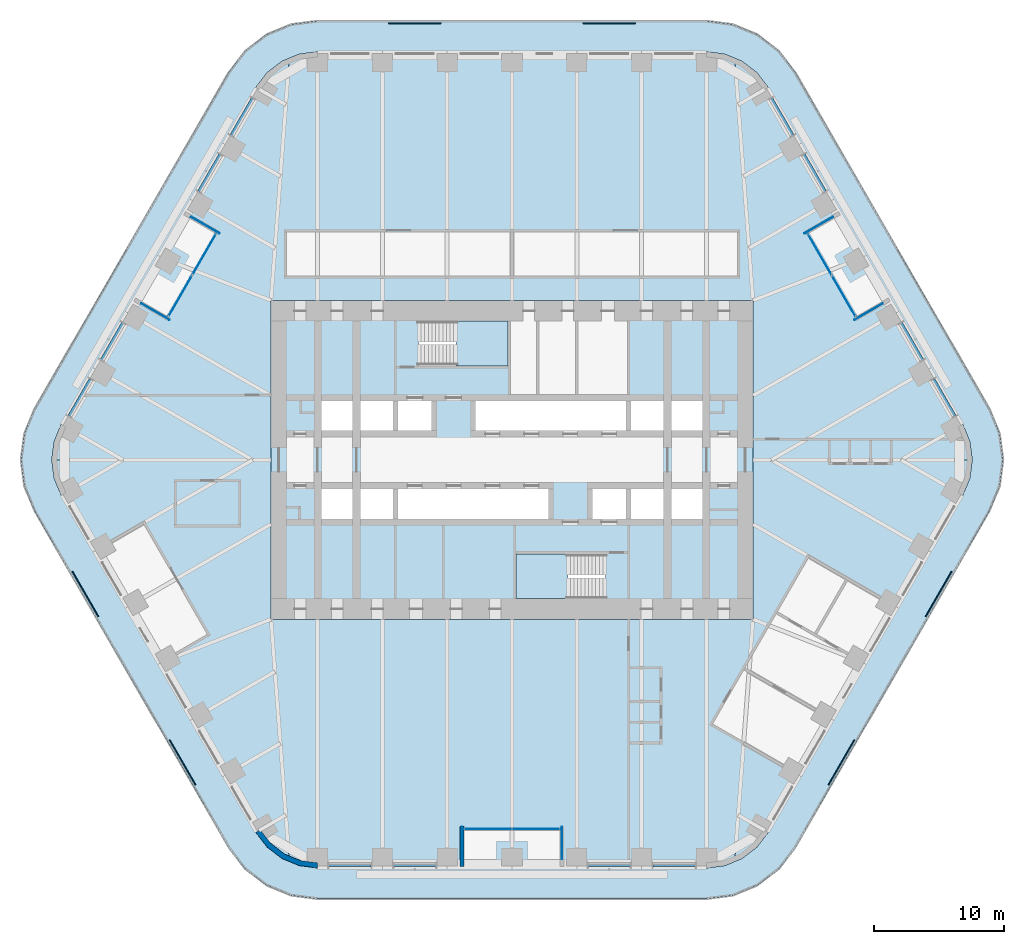
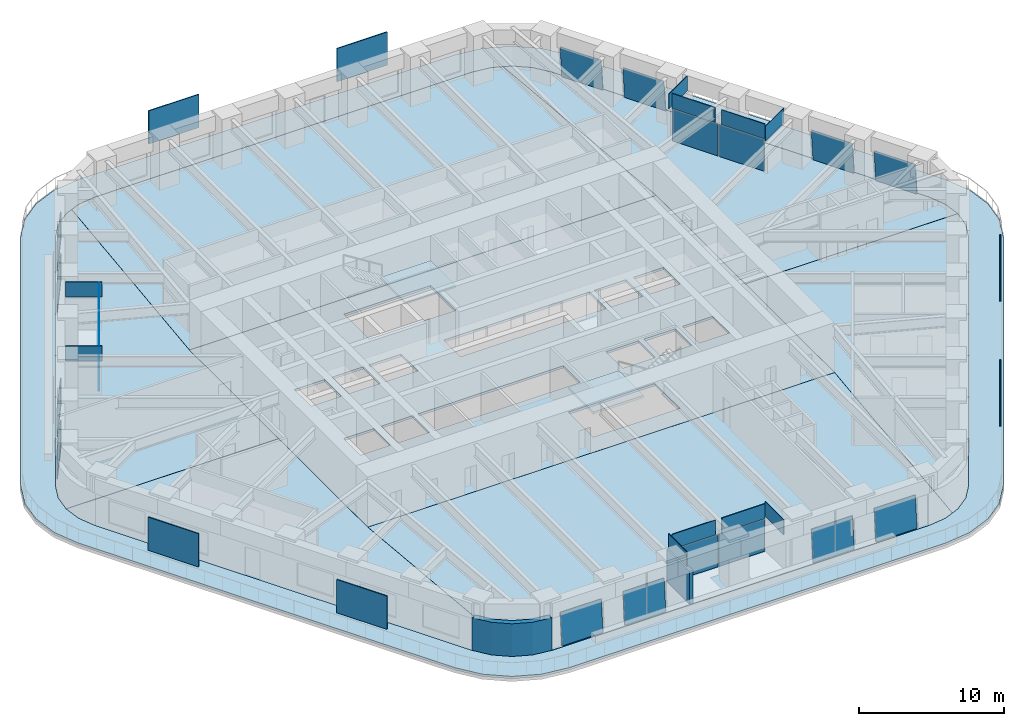
# One storey, part 16 of 24: 36 plates, 10 slabs, 2 walls, 17 elements without a shape of their own.
"""IFC4 building model written with IfcOpenShell, lengths in metres."""

from ifc_helpers import new_model, si_unit, direction, frame, frame_2d, origin, origin_2d, place, context, subcontext, project, spatial, polyline, rectangle, outline, extrude, material, layer, layer_set, type_object, element, aggregate, save


model = new_model("IFC4")

# Units and contexts
model_context = context("Model", 3, precision=1e-05, world=origin(), true_north=direction((0.0, 1.0)))
body_context = subcontext(model_context, "Body", "Model", "MODEL_VIEW")
ifc_project = project(units=[si_unit("LENGTHUNIT", "METRE"), si_unit("AREAUNIT", "SQUARE_METRE"), si_unit("VOLUMEUNIT", "CUBIC_METRE"), si_unit("PLANEANGLEUNIT", "RADIAN"), si_unit("MASSUNIT", "GRAM", prefix="KILO")], contexts=[model_context])

# Site, building, storey
site_placement = place(None, origin())
site = spatial("IfcSite", under=ifc_project, at=site_placement, CompositionType="ELEMENT")
building_placement = place(site_placement, origin())
building = spatial("IfcBuilding", under=site, at=building_placement, Name="Tarfa Lantern Tower", CompositionType="ELEMENT")
storey_placement = place(building_placement, frame((0.0, 0.0, 165.699951171875)))
storey = spatial("IfcBuildingStorey", under=building, at=storey_placement, Name="L37", CompositionType="ELEMENT", Elevation=165.699951171875)

# Slab
ifc_material_1 = material(Name="Concrete C40/50", Category="concrete")
ifc_layer_1 = layer(ifc_material_1, 0.199951171875)
ifc_layer_set_1 = layer_set([ifc_layer_1], Name="BS2 BALCONY SLAB 200")
slab_type_1 = type_object("IfcSlabType", Name="BS2 BALCONY SLAB 200", PredefinedType="FLOOR", material=ifc_layer_set_1)
slab_1_placement = place(storey_placement, frame((0.0, 0.0, -0.199951171875)))
element("IfcSlab", 1, at=slab_1_placement, inside=storey, type_object=slab_type_1, Name="Balcony L37", PredefinedType="FLOOR", context=body_context, shape_type="SweptSolid", body=[
    extrude(outline(polyline([(36.86376953125, 3.949951171875), (21.852783203125, 29.949951171875), (20.59716796875, 31.586181640625), (18.961181640625, 32.841552734375), (17.0556640625, 33.630859375), (15.010986328125, 33.89990234375), (-15.010986328125, 33.89990234375), (-17.0556640625, 33.630859375), (-18.961181640625, 32.841552734375), (-20.59716796875, 31.586181640625), (-21.852783203125, 29.949951171875), (-36.86376953125, 3.949951171875), (-37.653076171875, 2.044677734375), (-37.922119140625, 0.0), (-37.653076171875, -2.044677734375), (-36.86376953125, -3.949951171875), (-21.852783203125, -29.949951171875), (-20.59716796875, -31.586181640625), (-18.961181640625, -32.841552734375), (-17.0556640625, -33.630859375), (-15.010986328125, -33.89990234375), (15.010986328125, -33.89990234375), (17.0556640625, -33.630859375), (18.961181640625, -32.841552734375), (20.59716796875, -31.586181640625), (21.852783203125, -29.949951171875), (36.86376953125, -3.949951171875), (37.653076171875, -2.044677734375), (37.922119140625, 0.0), (37.653076171875, 2.044677734375), (36.86376953125, 3.949951171875)]), holes=[polyline([(34.785400390625, 2.75), (19.774169921875, 28.75), (18.900146484375, 29.88916015625), (17.760986328125, 30.76318359375), (16.4345703125, 31.3125), (15.010986328125, 31.5), (-15.010986328125, 31.5), (-16.4345703125, 31.3125), (-17.760986328125, 30.76318359375), (-18.900146484375, 29.88916015625), (-19.774169921875, 28.75), (-34.785400390625, 2.75), (-35.334716796875, 1.423583984375), (-35.522216796875, 0.0), (-35.334716796875, -1.423583984375), (-34.785400390625, -2.75), (-19.774169921875, -28.75), (-18.900146484375, -29.88916015625), (-17.760986328125, -30.76318359375), (-16.4345703125, -31.3125), (-15.010986328125, -31.5), (15.010986328125, -31.5), (16.4345703125, -31.3125), (17.760986328125, -30.76318359375), (18.900146484375, -29.88916015625), (19.774169921875, -28.75), (34.785400390625, -2.75), (35.334716796875, -1.423583984375), (35.522216796875, 0.0), (35.334716796875, 1.423583984375), (34.785400390625, 2.75)])]), origin(), (0.0, 0.0, 1.0), 0.199951171875),
])

# Curtain wall, plate
ifc_material_2 = material(Name="Aluminium framed curtain wall", Category="aluminium")
curtain_wall_type_1 = type_object("IfcCurtainWallType", Name="CW2 CANTED GLAZING MID ZONE 2750", PredefinedType="USERDEFINED", material=ifc_material_2)
curtain_wall_1_placement = place(storey_placement, origin())
curtain_wall_1 = element("IfcCurtainWall", 2, at=curtain_wall_1_placement, inside=storey, type_object=curtain_wall_type_1, Name="CW2 NE L37", ObjectType="CURTAIN WALL", PredefinedType="USERDEFINED")
ifc_material_3 = material(Name="Laminated double glazing", Category="glass")
ifc_layer_2 = layer(ifc_material_3, 0.028076171875)
ifc_layer_set_2 = layer_set([ifc_layer_2], Name="CWP1 DOUBLE GLAZED PANEL")
plate_type_1 = type_object("IfcPlateType", Name="CWP1 DOUBLE GLAZED PANEL", PredefinedType="CURTAIN_PANEL", material=ifc_layer_set_2)
plate_1_placement = place(storey_placement, frame((34.266357421875, 3.44921875, 0.0), z_axis=(0.862441677575, 0.497990996223, 0.09055009919), x_axis=(-0.500045231271, 0.865999287923, 0.0)))
plate_1 = element("IfcPlate", 3, at=plate_1_placement, type_object=plate_type_1, Name="CW2 panel 1.1", PredefinedType="CURTAIN_PANEL", context=body_context, shape_type="SweptSolid", body=[
    extrude(outline(polyline([(0.0, 0.0), (3.2736296403891254, -2.7755575615628914e-17), (3.273639290369484, 2.696134580088432), (9.64998035858606e-06, 2.696134580088432), (0.0, 0.0)])), origin(), (0.0, 0.0, -1.0), 0.028076171875),
])
aggregate(curtain_wall_1, [plate_1])

curtain_wall_2_placement = place(storey_placement, origin())
curtain_wall_2 = element("IfcCurtainWall", 4, at=curtain_wall_2_placement, inside=storey, type_object=curtain_wall_type_1, Name="CW2 NE L37", ObjectType="CURTAIN WALL", PredefinedType="USERDEFINED")
plate_2_placement = place(storey_placement, frame((31.764404296875, 7.782470703125, 0.0), z_axis=(0.862479387985, 0.497932752669, 0.090511209914), x_axis=(-0.499985201727, 0.866033947398, 2.910741e-06)))
plate_2 = element("IfcPlate", 5, at=plate_2_placement, type_object=plate_type_1, Name="CW2 panel 1.1", PredefinedType="CURTAIN_PANEL", context=body_context, shape_type="SweptSolid", body=[
    extrude(outline(polyline([(0.0, 0.0), (3.2738410665798376, 0.0), (3.273719542684435, 2.696115441250439), (5.428042382078573e-07, 2.696134578050012), (0.0, 0.0)])), origin(), (0.0, 0.0, -1.0), 0.028076171875),
])
aggregate(curtain_wall_2, [plate_2])

curtain_wall_3_placement = place(storey_placement, origin())
curtain_wall_3 = element("IfcCurtainWall", 6, at=curtain_wall_3_placement, inside=storey, type_object=curtain_wall_type_1, Name="CW2 NEB L37", ObjectType="CURTAIN WALL", PredefinedType="USERDEFINED")
plate_3_placement = place(storey_placement, frame((24.2587890625, 20.782470703125, 0.0), z_axis=(0.862492405459, 0.49790313323, 0.090550099086), x_axis=(-0.499957005835, 0.866050225054, 0.0)))
plate_3 = element("IfcPlate", 7, at=plate_3_placement, type_object=plate_type_1, Name="CW2 panel 1.1", PredefinedType="CURTAIN_PANEL", context=body_context, shape_type="SweptSolid", body=[
    extrude(outline(polyline([(0.0, 0.0), (3.273719001629088, 0.0), (3.2737037805661293, 2.6961345800627363), (-1.5221062958495346e-05, 2.6961345800627363), (0.0, 0.0)])), origin(), (0.0, 0.0, -1.0), 0.028076171875),
])
aggregate(curtain_wall_3, [plate_3])

curtain_wall_4_placement = place(storey_placement, origin())
curtain_wall_4 = element("IfcCurtainWall", 8, at=curtain_wall_4_placement, inside=storey, type_object=curtain_wall_type_1, Name="CW2 NEB L37", ObjectType="CURTAIN WALL", PredefinedType="USERDEFINED")
plate_4_placement = place(storey_placement, frame((21.757080078125, 25.11572265625, 0.0), z_axis=(0.862460247027, 0.49795883547, 0.09055009926), x_axis=(-0.500012937857, 0.86601793398, 0.0)))
plate_4 = element("IfcPlate", 9, at=plate_4_placement, type_object=plate_type_1, Name="CW2 panel 1.1", PredefinedType="CURTAIN_PANEL", context=body_context, shape_type="SweptSolid", body=[
    extrude(outline(polyline([(0.0, 0.0), (3.2738410682727324, -2.7755575615628914e-17), (3.27384161446276, 2.6961345801056464), (5.461900275667914e-07, 2.6961345801056464), (0.0, 0.0)])), origin(), (0.0, 0.0, -1.0), 0.028076171875),
])
aggregate(curtain_wall_4, [plate_4])

# Curtain wall, plates
curtain_wall_type_2 = type_object("IfcCurtainWallType", Name="CW10 LOGGIA GLAZING 2750", PredefinedType="USERDEFINED", material=ifc_material_2)
curtain_wall_5_placement = place(storey_placement, origin())
curtain_wall_5 = element("IfcCurtainWall", 10, at=curtain_wall_5_placement, inside=storey, type_object=curtain_wall_type_2, Name="CW10 NEL L37", ObjectType="CURTAIN WALL", PredefinedType="USERDEFINED")
plate_5_placement = place(storey_placement, frame((25.599609375, 12.660400390625, 0.0), z_axis=(0.0, 0.0, 1.0), x_axis=(-0.5, 0.866025403784, 0.0)))
plate_5 = element("IfcPlate", 11, at=plate_5_placement, type_object=plate_type_1, Name="CW10 panel 1.1", PredefinedType="CURTAIN_PANEL", context=body_context, shape_type="SweptSolid", body=[
    extrude(rectangle(XDim=3.606201171875, YDim=0.028076171875, at=origin_2d()), origin(), (0.0, 0.0, 1.0), 2.68505859375),
])
plate_6_placement = place(storey_placement, frame((23.763916015625, 15.839599609375, 0.0), z_axis=(0.0, 0.0, 1.0), x_axis=(-0.5, 0.866025403784, 0.0)))
plate_6 = element("IfcPlate", 12, at=plate_6_placement, type_object=plate_type_1, Name="CW10 panel 2.1", PredefinedType="CURTAIN_PANEL", context=body_context, shape_type="SweptSolid", body=[
    extrude(rectangle(XDim=3.606201171875, YDim=0.028076171875, at=origin_2d()), origin(), (0.0, 0.0, 1.0), 2.68505859375),
])
aggregate(curtain_wall_5, [plate_5, plate_6])

# Curtain wall, plate
curtain_wall_6_placement = place(storey_placement, origin())
curtain_wall_6 = element("IfcCurtainWall", 13, at=curtain_wall_6_placement, inside=storey, type_object=curtain_wall_type_1, Name="CW2 NW L37", ObjectType="CURTAIN WALL", PredefinedType="USERDEFINED")
plate_7_placement = place(storey_placement, frame((-20.1201171875, 27.950927734375, 0.0), z_axis=(-0.862460247027, 0.49795883547, 0.09055009926), x_axis=(-0.500012937857, -0.86601793398, 0.0)))
plate_7 = element("IfcPlate", 14, at=plate_7_placement, type_object=plate_type_1, Name="CW2 panel 1.1", PredefinedType="CURTAIN_PANEL", context=body_context, shape_type="SweptSolid", body=[
    extrude(outline(polyline([(0.0, 0.0), (3.2738410682727324, 2.7755575615628914e-17), (3.273840522082705, 2.6961345801056464), (-5.461900275667914e-07, 2.6961345801056464), (0.0, 0.0)])), origin(), (0.0, 0.0, -1.0), 0.028076171875),
])
aggregate(curtain_wall_6, [plate_7])

curtain_wall_7_placement = place(storey_placement, origin())
curtain_wall_7 = element("IfcCurtainWall", 15, at=curtain_wall_7_placement, inside=storey, type_object=curtain_wall_type_1, Name="CW2 NW L37", ObjectType="CURTAIN WALL", PredefinedType="USERDEFINED")
plate_8_placement = place(storey_placement, frame((-22.6220703125, 23.61767578125, 0.0), z_axis=(-0.862492405459, 0.49790313323, 0.090550099086), x_axis=(-0.499957005835, -0.866050225054, 0.0)))
plate_8 = element("IfcPlate", 16, at=plate_8_placement, type_object=plate_type_1, Name="CW2 panel 1.1", PredefinedType="CURTAIN_PANEL", context=body_context, shape_type="SweptSolid", body=[
    extrude(outline(polyline([(0.0, 0.0), (3.273719001629088, 0.0), (3.2737342226920463, 2.6961345800627363), (1.5221062958495346e-05, 2.6961345800627363), (0.0, 0.0)])), origin(), (0.0, 0.0, -1.0), 0.028076171875),
])
aggregate(curtain_wall_7, [plate_8])

curtain_wall_8_placement = place(storey_placement, origin())
curtain_wall_8 = element("IfcCurtainWall", 17, at=curtain_wall_8_placement, inside=storey, type_object=curtain_wall_type_1, Name="CW2 NWB L37", ObjectType="CURTAIN WALL", PredefinedType="USERDEFINED")
plate_9_placement = place(storey_placement, frame((-30.12744140625, 10.61767578125, 0.0), z_axis=(-0.862479387985, 0.497932752669, 0.090511209914), x_axis=(-0.499985201727, -0.866033947398, -2.910741e-06)))
plate_9 = element("IfcPlate", 18, at=plate_9_placement, type_object=plate_type_1, Name="CW2 panel 1.1", PredefinedType="CURTAIN_PANEL", context=body_context, shape_type="SweptSolid", body=[
    extrude(outline(polyline([(0.0, 0.0), (3.2738410665798376, 0.0), (3.2738405237755996, 2.696134578050012), (0.00012152389540222507, 2.6961154412504387), (0.0, 0.0)])), origin(), (0.0, 0.0, -1.0), 0.028076171875),
])
aggregate(curtain_wall_8, [plate_9])

curtain_wall_9_placement = place(storey_placement, origin())
curtain_wall_9 = element("IfcCurtainWall", 19, at=curtain_wall_9_placement, inside=storey, type_object=curtain_wall_type_1, Name="CW2 NWB L37", ObjectType="CURTAIN WALL", PredefinedType="USERDEFINED")
plate_10_placement = place(storey_placement, frame((-32.62939453125, 6.2841796875, 0.0), z_axis=(-0.862441677575, 0.497990996223, 0.09055009919), x_axis=(-0.500045231271, -0.865999287923, 0.0)))
plate_10 = element("IfcPlate", 20, at=plate_10_placement, type_object=plate_type_1, Name="CW2 panel 1.1", PredefinedType="CURTAIN_PANEL", context=body_context, shape_type="SweptSolid", body=[
    extrude(outline(polyline([(0.0, 0.0), (3.2736296403891254, 2.7755575615628914e-17), (3.273619990408767, 2.696134580088432), (-9.64998035858606e-06, 2.696134580088432), (0.0, 0.0)])), origin(), (0.0, 0.0, -1.0), 0.028076171875),
])
aggregate(curtain_wall_9, [plate_10])

# Curtain wall, plates
curtain_wall_10_placement = place(storey_placement, origin())
curtain_wall_10 = element("IfcCurtainWall", 21, at=curtain_wall_10_placement, inside=storey, type_object=curtain_wall_type_2, Name="CW10 NWL L37", ObjectType="CURTAIN WALL", PredefinedType="USERDEFINED")
plate_11_placement = place(storey_placement, frame((-23.763916015625, 15.839599609375, 0.0), z_axis=(0.0, 0.0, 1.0), x_axis=(-0.5, -0.866025403784, 0.0)))
plate_11 = element("IfcPlate", 22, at=plate_11_placement, type_object=plate_type_1, Name="CW10 panel 1.1", PredefinedType="CURTAIN_PANEL", context=body_context, shape_type="SweptSolid", body=[
    extrude(rectangle(XDim=3.606201171875, YDim=0.028076171875, at=origin_2d()), origin(), (0.0, 0.0, 1.0), 2.68505859375),
])
plate_12_placement = place(storey_placement, frame((-25.599609375, 12.660400390625, 0.0), z_axis=(0.0, 0.0, 1.0), x_axis=(-0.5, -0.866025403784, 0.0)))
plate_12 = element("IfcPlate", 23, at=plate_12_placement, type_object=plate_type_1, Name="CW10 panel 2.1", PredefinedType="CURTAIN_PANEL", context=body_context, shape_type="SweptSolid", body=[
    extrude(rectangle(XDim=3.606201171875, YDim=0.028076171875, at=origin_2d()), origin(), (0.0, 0.0, 1.0), 2.68505859375),
])
aggregate(curtain_wall_10, [plate_11, plate_12])

# Curtain wall, plate
curtain_wall_11_placement = place(storey_placement, origin())
curtain_wall_11 = element("IfcCurtainWall", 24, at=curtain_wall_11_placement, inside=storey, type_object=curtain_wall_type_1, Name="CW2 S L37", ObjectType="CURTAIN WALL", PredefinedType="USERDEFINED")
plate_13_placement = place(storey_placement, frame((-14.14599609375, -31.39990234375, 0.0), z_axis=(0.0, -0.995899883883, 0.090462264412), x_axis=(1.0, 0.0, 0.0)))
plate_13 = element("IfcPlate", 25, at=plate_13_placement, type_object=plate_type_1, Name="CW2 panel 1.1", PredefinedType="CURTAIN_PANEL", context=body_context, shape_type="SweptSolid", body=[
    extrude(outline(polyline([(0.0, 0.0), (3.273681640625, 0.0), (3.273681640625, 2.6961129699923947), (0.0, 2.6961129699923947), (0.0, 0.0)])), origin(), (0.0, 0.0, -1.0), 0.028076171875),
])
aggregate(curtain_wall_11, [plate_13])

curtain_wall_12_placement = place(storey_placement, origin())
curtain_wall_12 = element("IfcCurtainWall", 26, at=curtain_wall_12_placement, inside=storey, type_object=curtain_wall_type_1, Name="CW2 S L37", ObjectType="CURTAIN WALL", PredefinedType="USERDEFINED")
plate_14_placement = place(storey_placement, frame((-9.142333984375, -31.39990234375, 0.0), z_axis=(0.0, -0.995899883883, 0.090462264412), x_axis=(1.0, 0.0, 0.0)))
plate_14 = element("IfcPlate", 27, at=plate_14_placement, type_object=plate_type_1, Name="CW2 panel 1.1", PredefinedType="CURTAIN_PANEL", context=body_context, shape_type="SweptSolid", body=[
    extrude(outline(polyline([(0.0, 0.0), (3.273681640625, 0.0), (3.273681640625, 2.6961129699923947), (0.0, 2.6961129699923947), (0.0, 0.0)])), origin(), (0.0, 0.0, -1.0), 0.028076171875),
])
aggregate(curtain_wall_12, [plate_14])

curtain_wall_13_placement = place(storey_placement, origin())
curtain_wall_13 = element("IfcCurtainWall", 28, at=curtain_wall_13_placement, inside=storey, type_object=curtain_wall_type_1, Name="CW2 SB L37", ObjectType="CURTAIN WALL", PredefinedType="USERDEFINED")
plate_15_placement = place(storey_placement, frame((5.86865234375, -31.39990234375, 0.0), z_axis=(0.0, -0.995899883883, 0.090462264412), x_axis=(1.0, 0.0, 0.0)))
plate_15 = element("IfcPlate", 29, at=plate_15_placement, type_object=plate_type_1, Name="CW2 panel 1.1", PredefinedType="CURTAIN_PANEL", context=body_context, shape_type="SweptSolid", body=[
    extrude(outline(polyline([(0.0, 0.0), (3.273681640625, 0.0), (3.273681640625, 2.6961129699923947), (0.0, 2.6961129699923947), (0.0, 0.0)])), origin(), (0.0, 0.0, -1.0), 0.028076171875),
])
aggregate(curtain_wall_13, [plate_15])

curtain_wall_14_placement = place(storey_placement, origin())
curtain_wall_14 = element("IfcCurtainWall", 30, at=curtain_wall_14_placement, inside=storey, type_object=curtain_wall_type_1, Name="CW2 SB L37", ObjectType="CURTAIN WALL", PredefinedType="USERDEFINED")
plate_16_placement = place(storey_placement, frame((10.872314453125, -31.39990234375, 0.0), z_axis=(0.0, -0.995899883883, 0.090462264412), x_axis=(1.0, 0.0, 0.0)))
plate_16 = element("IfcPlate", 31, at=plate_16_placement, type_object=plate_type_1, Name="CW2 panel 1.1", PredefinedType="CURTAIN_PANEL", context=body_context, shape_type="SweptSolid", body=[
    extrude(outline(polyline([(0.0, 0.0), (3.273681640625, 0.0), (3.273681640625, 2.6961129699923947), (0.0, 2.6961129699923947), (0.0, 0.0)])), origin(), (0.0, 0.0, -1.0), 0.028076171875),
])
aggregate(curtain_wall_14, [plate_16])

# Curtain wall, plates
curtain_wall_15_placement = place(storey_placement, origin())
curtain_wall_15 = element("IfcCurtainWall", 32, at=curtain_wall_15_placement, inside=storey, type_object=curtain_wall_type_2, Name="CW10 SL L37", ObjectType="CURTAIN WALL", PredefinedType="USERDEFINED")
plate_17_placement = place(storey_placement, frame((-1.835693359375, -28.5, 0.0), z_axis=(0.0, 0.0, 1.0), x_axis=(1.0, 0.0, 0.0)))
plate_17 = element("IfcPlate", 33, at=plate_17_placement, type_object=plate_type_1, Name="CW10 panel 1.1", PredefinedType="CURTAIN_PANEL", context=body_context, shape_type="SweptSolid", body=[
    extrude(rectangle(XDim=3.606201171875, YDim=0.028076171875, at=origin_2d()), origin(), (0.0, 0.0, 1.0), 2.68505859375),
])
plate_18_placement = place(storey_placement, frame((1.835693359375, -28.5, 0.0), z_axis=(0.0, 0.0, 1.0), x_axis=(1.0, 0.0, 0.0)))
plate_18 = element("IfcPlate", 34, at=plate_18_placement, type_object=plate_type_1, Name="CW10 panel 2.1", PredefinedType="CURTAIN_PANEL", context=body_context, shape_type="SweptSolid", body=[
    extrude(rectangle(XDim=3.606201171875, YDim=0.028076171875, at=origin_2d()), origin(), (0.0, 0.0, 1.0), 2.68505859375),
])
aggregate(curtain_wall_15, [plate_17, plate_18])

# Slabs
ifc_layer_3 = layer(ifc_material_1, 0.199951171875)
ifc_layer_set_3 = layer_set([ifc_layer_3], Name="FS1 FLOOR SLAB 200")
slab_type_2 = type_object("IfcSlabType", Name="FS1 FLOOR SLAB 200", PredefinedType="FLOOR", material=ifc_layer_set_3)
slab_2_placement = place(storey_placement, frame((0.0, 0.0, -0.199951171875)))
element("IfcSlab", 35, at=slab_2_placement, inside=storey, type_object=slab_type_2, Name="Floor slab L37", PredefinedType="FLOOR", context=body_context, shape_type="SweptSolid", body=[
    extrude(outline(polyline([(-18.60009765625, -12.300048828125), (18.60009765625, -12.300048828125), (18.60009765625, 12.300048828125), (-18.60009765625, 12.300048828125), (-18.60009765625, -12.300048828125)]), holes=[polyline([(-14.699951171875, 2.25), (-12.300048828125, 2.25), (-12.300048828125, 4.550048828125), (-14.699951171875, 4.550048828125), (-14.699951171875, 2.25)]), polyline([(-11.699951171875, 2.25), (-9.199951171875, 2.25), (-9.199951171875, 4.550048828125), (-11.699951171875, 4.550048828125), (-11.699951171875, 2.25)]), polyline([(-8.800048828125, 2.25), (-6.199951171875, 2.25), (-6.199951171875, 4.550048828125), (-8.800048828125, 4.550048828125), (-8.800048828125, 2.25)]), polyline([(-2.800048828125, 2.25), (8.800048828125, 2.25), (8.800048828125, 4.550048828125), (-2.800048828125, 4.550048828125), (-2.800048828125, 2.25)]), polyline([(9.199951171875, 2.25), (11.699951171875, 2.25), (11.699951171875, 4.550048828125), (9.199951171875, 4.550048828125), (9.199951171875, 2.25)]), polyline([(12.300048828125, 2.25), (14.699951171875, 2.25), (14.699951171875, 4.550048828125), (12.300048828125, 4.550048828125), (12.300048828125, 2.25)]), polyline([(14.699951171875, -2.25), (12.300048828125, -2.25), (12.300048828125, -4.550048828125), (14.699951171875, -4.550048828125), (14.699951171875, -2.25)]), polyline([(11.699951171875, -2.25), (9.199951171875, -2.25), (9.199951171875, -4.550048828125), (11.699951171875, -4.550048828125), (11.699951171875, -2.25)]), polyline([(8.800048828125, -2.25), (6.199951171875, -2.25), (6.199951171875, -4.550048828125), (8.800048828125, -4.550048828125), (8.800048828125, -2.25)]), polyline([(2.800048828125, -2.25), (-8.800048828125, -2.25), (-8.800048828125, -4.550048828125), (2.800048828125, -4.550048828125), (2.800048828125, -2.25)]), polyline([(-9.199951171875, -2.25), (-11.699951171875, -2.25), (-11.699951171875, -4.550048828125), (-9.199951171875, -4.550048828125), (-9.199951171875, -2.25)]), polyline([(-12.300048828125, -2.25), (-14.699951171875, -2.25), (-14.699951171875, -4.550048828125), (-12.300048828125, -4.550048828125), (-12.300048828125, -2.25)]), polyline([(-7.199951171875, 7.25), (-0.300048828125, 7.25), (-0.300048828125, 10.699951171875), (-7.199951171875, 10.699951171875), (-7.199951171875, 7.25)]), polyline([(7.199951171875, -7.25), (0.300048828125, -7.25), (0.300048828125, -10.699951171875), (7.199951171875, -10.699951171875), (7.199951171875, -7.25)])]), origin(), (0.0, 0.0, 1.0), 0.199951171875),
])
slab_3_placement = place(storey_placement, frame((0.0, 0.0, -0.199951171875)))
element("IfcSlab", 36, at=slab_3_placement, inside=storey, type_object=slab_type_2, Name="Floor slab L37 NE bay", PredefinedType="FLOOR", context=body_context, shape_type="SweptSolid", body=[
    extrude(outline(polyline([(34.783447265625, 2.7490234375), (19.7724609375, 28.748779296875), (18.898681640625, 29.8876953125), (17.760009765625, 30.761474609375), (17.19189453125, 30.996826171875), (18.60205078125, 12.300048828125), (18.60205078125, 0.001953125), (35.52001953125, 0.001953125), (35.332763671875, 1.423095703125), (34.783447265625, 2.7490234375)])), origin(), (0.0, 0.0, 1.0), 0.199951171875),
])
slab_4_placement = place(storey_placement, frame((0.0, 0.0, -0.199951171875)))
element("IfcSlab", 37, at=slab_4_placement, inside=storey, type_object=slab_type_2, Name="Floor slab L37 N bay", PredefinedType="FLOOR", context=body_context, shape_type="SweptSolid", body=[
    extrude(outline(polyline([(-18.597900390625, 12.302001953125), (18.597900390625, 12.302001953125), (17.187744140625, 30.99853515625), (16.43408203125, 31.310546875), (15.010986328125, 31.498046875), (-15.010986328125, 31.498046875), (-16.43408203125, 31.310546875), (-17.187744140625, 30.99853515625), (-18.597900390625, 12.302001953125)])), origin(), (0.0, 0.0, 1.0), 0.199951171875),
])
slab_5_placement = place(storey_placement, frame((0.0, 0.0, -0.199951171875)))
element("IfcSlab", 38, at=slab_5_placement, inside=storey, type_object=slab_type_2, Name="Floor slab L37 NW bay", PredefinedType="FLOOR", context=body_context, shape_type="SweptSolid", body=[
    extrude(outline(polyline([(-18.60205078125, 0.001953125), (-18.60205078125, 12.300048828125), (-17.19189453125, 30.996826171875), (-17.760009765625, 30.761474609375), (-18.898681640625, 29.8876953125), (-19.7724609375, 28.748779296875), (-34.783447265625, 2.7490234375), (-35.332763671875, 1.423095703125), (-35.52001953125, 0.001953125), (-18.60205078125, 0.001953125)])), origin(), (0.0, 0.0, 1.0), 0.199951171875),
])
slab_6_placement = place(storey_placement, frame((0.0, 0.0, -0.199951171875)))
element("IfcSlab", 39, at=slab_6_placement, inside=storey, type_object=slab_type_2, Name="Floor slab L37 SW bay", PredefinedType="FLOOR", context=body_context, shape_type="SweptSolid", body=[
    extrude(outline(polyline([(-18.60205078125, -12.300048828125), (-18.60205078125, -0.001953125), (-35.52001953125, -0.001953125), (-35.332763671875, -1.423095703125), (-34.783447265625, -2.7490234375), (-19.7724609375, -28.748779296875), (-18.898681640625, -29.8876953125), (-17.760009765625, -30.761474609375), (-17.19189453125, -30.996826171875), (-18.60205078125, -12.300048828125)])), origin(), (0.0, 0.0, 1.0), 0.199951171875),
])
slab_7_placement = place(storey_placement, frame((0.0, 0.0, -0.199951171875)))
element("IfcSlab", 40, at=slab_7_placement, inside=storey, type_object=slab_type_2, Name="Floor slab L37 S bay", PredefinedType="FLOOR", context=body_context, shape_type="SweptSolid", body=[
    extrude(outline(polyline([(18.597900390625, -12.302001953125), (-18.597900390625, -12.302001953125), (-17.187744140625, -30.99853515625), (-16.43408203125, -31.310546875), (-15.010986328125, -31.498046875), (15.010986328125, -31.498046875), (16.43408203125, -31.310546875), (17.187744140625, -30.99853515625), (18.597900390625, -12.302001953125)])), origin(), (0.0, 0.0, 1.0), 0.199951171875),
])
slab_8_placement = place(storey_placement, frame((0.0, 0.0, -0.199951171875)))
element("IfcSlab", 41, at=slab_8_placement, inside=storey, type_object=slab_type_2, Name="Floor slab L37 SE bay", PredefinedType="FLOOR", context=body_context, shape_type="SweptSolid", body=[
    extrude(outline(polyline([(18.60205078125, -0.001953125), (18.60205078125, -12.300048828125), (17.19189453125, -30.996826171875), (17.760009765625, -30.761474609375), (18.898681640625, -29.8876953125), (19.7724609375, -28.748779296875), (34.783447265625, -2.7490234375), (35.332763671875, -1.423095703125), (35.52001953125, -0.001953125), (18.60205078125, -0.001953125)])), origin(), (0.0, 0.0, 1.0), 0.199951171875),
])

# Plates
ifc_material_4 = material(Name="Aluminium fascia panel", Category="aluminium")
ifc_layer_4 = layer(ifc_material_4, 0.050048828125)
ifc_layer_set_4 = layer_set([ifc_layer_4], Name="LF1 LOGGIA HEAD FASCIA 50")
plate_type_2 = type_object("IfcPlateType", Name="LF1 LOGGIA HEAD FASCIA 50", PredefinedType="USERDEFINED", material=ifc_layer_set_4)
for number, where, z_axis, x_axis, name in (
    (42, (25.670166015625, 12.5380859375, 2.75), (0.0, 0.0, 1.0), (-0.5, 0.866025403784, 0.0), "Loggia head fascia NE"),
    (43, (23.693359375, 15.9619140625, 2.75), (0.0, 0.0, 1.0), (-0.5, 0.866025403784, 0.0), "Loggia head fascia NE"),
):
    element("IfcPlate", number, at=place(storey_placement, frame(where, z_axis=z_axis, x_axis=x_axis)), inside=storey, type_object=plate_type_2, Name=name, ObjectType="FASCIA", PredefinedType="USERDEFINED", context=body_context, shape_type="SweptSolid", body=[
        extrude(rectangle(XDim=3.45361328125, YDim=0.050048828125, at=origin_2d()), origin(), (0.0, 0.0, 1.0), 1.25),
    ])
for number, where, z_axis, x_axis, name in (
    (44, (27.526611328125, 11.442626953125, 2.75), (0.0, 0.0, 1.0), (-0.866025403784, -0.5, 0.0), "Loggia head fascia NE"),
    (45, (23.6728515625, 18.117431640625, 2.75), (0.0, 0.0, 1.0), (-0.866025403784, -0.5, 0.0), "Loggia head fascia NE"),
):
    element("IfcPlate", number, at=place(storey_placement, frame(where, z_axis=z_axis, x_axis=x_axis)), inside=storey, type_object=plate_type_2, Name=name, ObjectType="FASCIA", PredefinedType="USERDEFINED", context=body_context, shape_type="SweptSolid", body=[
        extrude(rectangle(XDim=2.52001953125, YDim=0.050048828125, at=origin_2d()), origin(), (0.0, 0.0, 1.0), 1.25),
    ])
for number, where, z_axis, x_axis, name in (
    (46, (-23.693359375, 15.9619140625, 2.75), (0.0, 0.0, 1.0), (-0.5, -0.866025403784, 0.0), "Loggia head fascia NW"),
    (47, (-25.670166015625, 12.5380859375, 2.75), (0.0, 0.0, 1.0), (-0.5, -0.866025403784, 0.0), "Loggia head fascia NW"),
):
    element("IfcPlate", number, at=place(storey_placement, frame(where, z_axis=z_axis, x_axis=x_axis)), inside=storey, type_object=plate_type_2, Name=name, ObjectType="FASCIA", PredefinedType="USERDEFINED", context=body_context, shape_type="SweptSolid", body=[
        extrude(rectangle(XDim=3.45361328125, YDim=0.050048828125, at=origin_2d()), origin(), (0.0, 0.0, 1.0), 1.25),
    ])
for number, where, z_axis, x_axis, name in (
    (48, (-23.6728515625, 18.117431640625, 2.75), (0.0, 0.0, 1.0), (0.866025403784, -0.5, 0.0), "Loggia head fascia NW"),
    (49, (-27.526611328125, 11.442626953125, 2.75), (0.0, 0.0, 1.0), (0.866025403784, -0.5, 0.0), "Loggia head fascia NW"),
):
    element("IfcPlate", number, at=place(storey_placement, frame(where, z_axis=z_axis, x_axis=x_axis)), inside=storey, type_object=plate_type_2, Name=name, ObjectType="FASCIA", PredefinedType="USERDEFINED", context=body_context, shape_type="SweptSolid", body=[
        extrude(rectangle(XDim=2.52001953125, YDim=0.050048828125, at=origin_2d()), origin(), (0.0, 0.0, 1.0), 1.25),
    ])
for number, where, z_axis, x_axis, name in (
    (50, (-1.976806640625, -28.5, 2.75), (0.0, 0.0, 1.0), (1.0, 0.0, 0.0), "Loggia head fascia S"),
    (51, (1.976806640625, -28.5, 2.75), (0.0, 0.0, 1.0), (1.0, 0.0, 0.0), "Loggia head fascia S"),
):
    element("IfcPlate", number, at=place(storey_placement, frame(where, z_axis=z_axis, x_axis=x_axis)), inside=storey, type_object=plate_type_2, Name=name, ObjectType="FASCIA", PredefinedType="USERDEFINED", context=body_context, shape_type="SweptSolid", body=[
        extrude(rectangle(XDim=3.45361328125, YDim=0.050048828125, at=origin_2d()), origin(), (0.0, 0.0, 1.0), 1.25),
    ])
for number, where, z_axis, x_axis, name in (
    (52, (-3.853759765625, -29.56005859375, 2.75), (0.0, 0.0, 1.0), (0.0, 1.0, 0.0), "Loggia head fascia S"),
    (53, (3.853759765625, -29.56005859375, 2.75), (0.0, 0.0, 1.0), (0.0, 1.0, 0.0), "Loggia head fascia S"),
):
    element("IfcPlate", number, at=place(storey_placement, frame(where, z_axis=z_axis, x_axis=x_axis)), inside=storey, type_object=plate_type_2, Name=name, ObjectType="FASCIA", PredefinedType="USERDEFINED", context=body_context, shape_type="SweptSolid", body=[
        extrude(rectangle(XDim=2.52001953125, YDim=0.050048828125, at=origin_2d()), origin(), (0.0, 0.0, 1.0), 1.25),
    ])
ifc_material_5 = material(Name="Perforated limestone screen", Category="masonry")
ifc_layer_5 = layer(ifc_material_5, 0.080078125)
ifc_layer_set_5 = layer_set([ifc_layer_5], Name="SC1 STONE SCREEN 80")
plate_type_3 = type_object("IfcPlateType", Name="SC1 STONE SCREEN 80", PredefinedType="USERDEFINED", material=ifc_layer_set_5)
for number, where, z_axis, x_axis, name in (
    (54, (7.505615234375, 33.699951171875, 1.2001953125), (0.0, 0.0, 1.0), (-1.0, 0.0, 0.0), "Stone screen N 1"),
    (55, (-7.505615234375, 33.699951171875, 1.2001953125), (0.0, 0.0, 1.0), (-1.0, 0.0, 0.0), "Stone screen N 2"),
    (56, (-32.937744140625, -10.35009765625, 1.2001953125), (0.0, 0.0, 1.0), (0.5, -0.866025403784, 0.0), "Stone screen SW 1"),
    (57, (-25.432373046875, -23.35009765625, 1.2001953125), (0.0, 0.0, 1.0), (0.5, -0.866025403784, 0.0), "Stone screen SW 2"),
    (58, (25.432373046875, -23.35009765625, 1.2001953125), (0.0, 0.0, 1.0), (0.5, 0.866025403784, 0.0), "Stone screen SE 1"),
    (59, (32.937744140625, -10.35009765625, 1.2001953125), (0.0, 0.0, 1.0), (0.5, 0.866025403784, 0.0), "Stone screen SE 2"),
):
    element("IfcPlate", number, at=place(storey_placement, frame(where, z_axis=z_axis, x_axis=x_axis)), inside=storey, type_object=plate_type_3, Name=name, ObjectType="SCREEN", PredefinedType="USERDEFINED", context=body_context, shape_type="SweptSolid", body=[
        extrude(rectangle(XDim=4.0, YDim=0.080078125, at=origin_2d()), origin(), (0.0, 0.0, 1.0), 2.800048828125),
    ])

# Stair, slab
stair_type = type_object("IfcStairType", Name="ST-T10 HALF-TURN STAIR 4200 RISE", PredefinedType="HALF_TURN_STAIR", material=ifc_material_1)
stair_1_placement = place(storey_placement, origin())
stair_1 = element("IfcStair", 60, at=stair_1_placement, inside=storey, type_object=stair_type, Name="Stair ST1", PredefinedType="HALF_TURN_STAIR")
ifc_layer_6 = layer(ifc_material_1, 0.199951171875)
ifc_layer_set_6 = layer_set([ifc_layer_6], Name="SL1 STAIR LANDING 200")
slab_type_3 = type_object("IfcSlabType", Name="SL1 STAIR LANDING 200", PredefinedType="LANDING", material=ifc_layer_set_6)
slab_9_placement = place(storey_placement, frame((0.0, 0.0, 1.900146484375)))
slab_9 = element("IfcSlab", 61, at=slab_9_placement, type_object=slab_type_3, Name="ST1 landing 1", PredefinedType="LANDING", context=body_context, shape_type="SweptSolid", body=[
    extrude(outline(polyline([(-4.320068359375, 7.25), (-0.300048828125, 7.25), (-0.300048828125, 10.699951171875), (-4.320068359375, 10.699951171875), (-4.320068359375, 7.25)])), origin(), (0.0, 0.0, 1.0), 0.199951171875),
])
aggregate(stair_1, [slab_9])

stair_2_placement = place(storey_placement, origin())
stair_2 = element("IfcStair", 62, at=stair_2_placement, inside=storey, type_object=stair_type, Name="Stair ST2", PredefinedType="HALF_TURN_STAIR")
slab_10_placement = place(storey_placement, frame((0.0, 0.0, 1.900146484375)))
slab_10 = element("IfcSlab", 63, at=slab_10_placement, type_object=slab_type_3, Name="ST2 landing 1", PredefinedType="LANDING", context=body_context, shape_type="SweptSolid", body=[
    extrude(outline(polyline([(4.320068359375, -7.25), (0.300048828125, -7.25), (0.300048828125, -10.699951171875), (4.320068359375, -10.699951171875), (4.320068359375, -7.25)])), origin(), (0.0, 0.0, 1.0), 0.199951171875),
])
aggregate(stair_2, [slab_10])

# Walls
ifc_material_6 = material(Name="Limestone cladding on blockwork", Category="masonry")
ifc_layer_7 = layer(ifc_material_6, 0.300048828125)
ifc_layer_set_7 = layer_set([ifc_layer_7], Name="EW1 STONE-CLAD WALL 300")
wall_type_1 = type_object("IfcWallType", Name="EW1 STONE-CLAD WALL 300", PredefinedType="SOLIDWALL", material=ifc_layer_set_7)
wall_1_placement = place(storey_placement, frame((-3.853759765625, -31.39990234375, 0.0), z_axis=(0.0, 0.0, 1.0), x_axis=(0.0, 1.0, 0.0)))
element("IfcWall", 64, at=wall_1_placement, inside=storey, type_object=wall_type_1, Name="Loggia return S 1", PredefinedType="SOLIDWALL", context=body_context, shape_type="SweptSolid", body=[
    extrude(rectangle(XDim=3.099853515625, YDim=0.300048828125, at=frame_2d((1.5498046875, 0.0))), origin(), (0.0, 0.0, 1.0), 2.75),
])
ifc_layer_8 = layer(ifc_material_6, 0.39990234375)
ifc_layer_set_8 = layer_set([ifc_layer_8], Name="EW2 CURVED STONE CORNER 400")
wall_type_2 = type_object("IfcWallType", Name="EW2 CURVED STONE CORNER 400", PredefinedType="SOLIDWALL", material=ifc_layer_set_8)
wall_2_placement = place(storey_placement, origin())
element("IfcWall", 65, at=wall_2_placement, inside=storey, type_object=wall_type_2, Name="Stone corner SW-S", PredefinedType="SOLIDWALL", context=body_context, shape_type="SweptSolid", body=[
    extrude(outline(polyline([(-19.774169921875, -28.75), (-18.900146484375, -29.88916015625), (-17.760986328125, -30.76318359375), (-16.4345703125, -31.3125), (-15.010986328125, -31.5), (-15.010986328125, -31.10009765625), (-16.3310546875, -30.92626953125), (-17.56103515625, -30.416748046875), (-18.617431640625, -29.606201171875), (-19.427734375, -28.550048828125), (-19.774169921875, -28.75)])), origin(), (0.0, 0.0, 1.0), 2.75),
])

save(model, "model.ifc")
